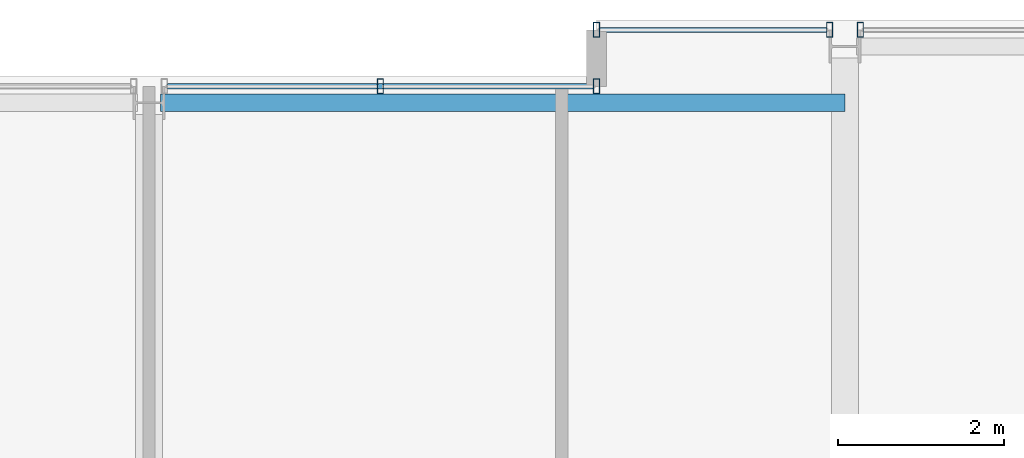
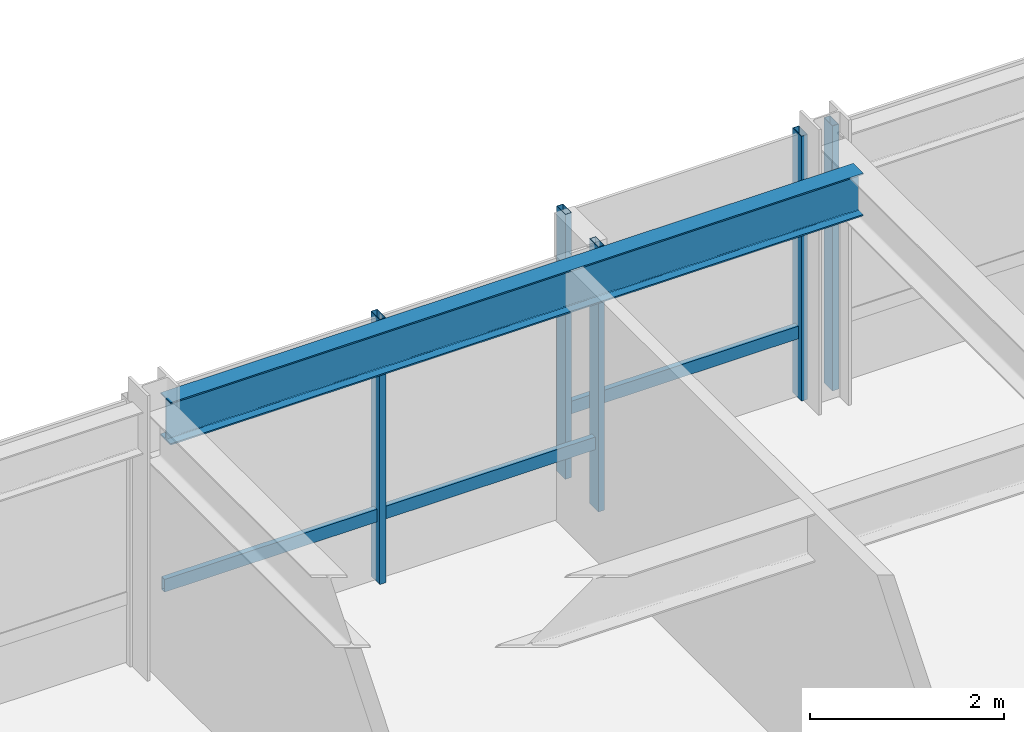
# One storey, part 22 of 34: 7 members, 1 beam, 3 elements without a shape of their own.
"""IFC4 building model written with IfcOpenShell, lengths in metres."""

from ifc_helpers import new_model, si_unit, direction, frame, origin, origin_2d, place, context, subcontext, project, spatial, hollow_rectangle, i_section, extrude, material, layer, layer_set, material_profile, profile_set, type_object, element, aggregate, save


model = new_model("IFC4")

# Units and contexts
model_context = context("Model", 3, precision=1e-05, world=origin(), true_north=direction((0.0, 1.0)))
body_context = subcontext(model_context, "Body", "Model", "MODEL_VIEW")
ifc_project = project(units=[si_unit("LENGTHUNIT", "METRE"), si_unit("AREAUNIT", "SQUARE_METRE"), si_unit("VOLUMEUNIT", "CUBIC_METRE"), si_unit("PLANEANGLEUNIT", "RADIAN"), si_unit("MASSUNIT", "GRAM", prefix="KILO")], contexts=[model_context])

# Site, building, storey
site_placement = place(None, origin())
site = spatial("IfcSite", under=ifc_project, at=site_placement, CompositionType="ELEMENT")
building_placement = place(site_placement, origin())
building = spatial("IfcBuilding", under=site, at=building_placement, Name="Drelvath Grand Hotel", CompositionType="ELEMENT")
storey_placement = place(building_placement, frame((0.0, 0.0, 208.699951171875)))
storey = spatial("IfcBuildingStorey", under=building, at=storey_placement, Name="L54", CompositionType="ELEMENT", Elevation=208.699951171875)

# Curtain wall, member
ifc_material_1 = material(Name="Platinum-Mist Anodised Aluminium Frame", Category="aluminium")
ifc_layer = layer(ifc_material_1, 0.199951171875)
ifc_layer_set = layer_set([ifc_layer], Name="Platinum-Mist Anodised Aluminium Frame")
curtain_wall_type = type_object("IfcCurtainWallType", Name="Stick Curtain Wall CW-05 Platinum Mist High-Rise", PredefinedType="NOTDEFINED", material=ifc_layer_set)
curtain_wall_1_placement = place(storey_placement, origin())
curtain_wall_1 = element("IfcCurtainWall", 1, at=curtain_wall_1_placement, inside=storey, type_object=curtain_wall_type, Name="L54 CW-05 Curtain Wall CW05-L54-NM2", PredefinedType="NOTDEFINED")
ifc_material_profile_1 = material_profile(ifc_material_1, hollow_rectangle(XDim=0.06494140625, YDim=0.159912109375, WallThickness=0.00390625, at=origin_2d()), Name="HSS160X65X4")
ifc_profile_set_1 = profile_set([ifc_material_profile_1], Name="Platinum-Mist Anodised Aluminium Frame")
member_type_1 = type_object("IfcMemberType", Name="Curtain Wall Horizontal Transom CW-05 HSS160X65X4", PredefinedType="USERDEFINED", material=ifc_profile_set_1)
member_1_placement = place(storey_placement, frame((0.225341796875, 48.39990234375, 0.8349609375), z_axis=(1.0, 0.0, 0.0), x_axis=(0.0, 1.0, 0.0)))
member_1 = element("IfcMember", 2, at=member_1_placement, type_object=member_type_1, Name="CW05-L54-NM2 Sill Transom", ObjectType="TRANSOM", PredefinedType="USERDEFINED", context=body_context, shape_type="SweptSolid", body=[
    extrude(hollow_rectangle(XDim=0.06494140625, YDim=0.159912109375, WallThickness=0.00390625, at=origin_2d()), origin(), (0.0, 0.0, 1.0), 5.134765625),
])

curtain_wall_2_placement = place(storey_placement, origin())
curtain_wall_2 = element("IfcCurtainWall", 3, at=curtain_wall_2_placement, inside=storey, type_object=curtain_wall_type, Name="L54 CW-05 Curtain Wall CW05-L54-NE1", PredefinedType="NOTDEFINED")
member_2_placement = place(storey_placement, frame((5.43994140625, 49.080078125, 0.8349609375), z_axis=(1.0, 0.0, 0.0), x_axis=(0.0, 1.0, 0.0)))
member_2 = element("IfcMember", 4, at=member_2_placement, type_object=member_type_1, Name="CW05-L54-NE1 Sill Transom", ObjectType="TRANSOM", PredefinedType="USERDEFINED", context=body_context, shape_type="SweptSolid", body=[
    extrude(hollow_rectangle(XDim=0.06494140625, YDim=0.159912109375, WallThickness=0.00390625, at=origin_2d()), origin(), (0.0, 0.0, 1.0), 2.73486328125),
])

# Member
ifc_material_profile_2 = material_profile(ifc_material_1, hollow_rectangle(XDim=0.074951171875, YDim=0.179931640625, WallThickness=0.0048828125, at=origin_2d()), Name="HSS180X75X5")
ifc_profile_set_2 = profile_set([ifc_material_profile_2], Name="Platinum-Mist Anodised Aluminium Frame")
member_type_2 = type_object("IfcMemberType", Name="Curtain Wall Vertical Mullion CW-05 HSS180X75X5", PredefinedType="MULLION", material=ifc_profile_set_2)
member_3_placement = place(storey_placement, frame((2.792724609375, 48.39990234375, 0.0), z_axis=(0.0, 0.0, 1.0), x_axis=(1.0, 0.0, 0.0)))
member_3 = element("IfcMember", 5, at=member_3_placement, type_object=member_type_2, Name="CW05-L54-NM2 Mullion 2", PredefinedType="MULLION", context=body_context, shape_type="SweptSolid", body=[
    extrude(hollow_rectangle(XDim=0.074951171875, YDim=0.179931640625, WallThickness=0.0048828125, at=origin_2d()), origin(), (0.0, 0.0, 1.0), 3.340087890625),
])

member_4_placement = place(storey_placement, frame((5.39990234375, 48.39990234375, 0.0), z_axis=(0.0, 0.0, 1.0), x_axis=(1.0, 0.0, 0.0)))
member_4 = element("IfcMember", 6, at=member_4_placement, type_object=member_type_2, Name="CW05-L54-NM2 Mullion 3", PredefinedType="MULLION", context=body_context, shape_type="SweptSolid", body=[
    extrude(hollow_rectangle(XDim=0.074951171875, YDim=0.179931640625, WallThickness=0.0048828125, at=origin_2d()), origin(), (0.0, 0.0, 1.0), 3.340087890625),
])

aggregate(curtain_wall_1, [member_3, member_4, member_1])

member_5_placement = place(storey_placement, frame((5.39990234375, 49.080078125, 0.0), z_axis=(0.0, 0.0, 1.0), x_axis=(1.0, 0.0, 0.0)))
member_5 = element("IfcMember", 7, at=member_5_placement, type_object=member_type_2, Name="CW05-L54-NE1 Mullion 1", PredefinedType="MULLION", context=body_context, shape_type="SweptSolid", body=[
    extrude(hollow_rectangle(XDim=0.074951171875, YDim=0.179931640625, WallThickness=0.0048828125, at=origin_2d()), origin(), (0.0, 0.0, 1.0), 3.340087890625),
])

member_6_placement = place(storey_placement, frame((8.214599609375, 49.080078125, 0.0), z_axis=(0.0, 0.0, 1.0), x_axis=(1.0, 0.0, 0.0)))
member_6 = element("IfcMember", 8, at=member_6_placement, type_object=member_type_2, Name="CW05-L54-NE1 Mullion 2", PredefinedType="MULLION", context=body_context, shape_type="SweptSolid", body=[
    extrude(hollow_rectangle(XDim=0.074951171875, YDim=0.179931640625, WallThickness=0.0048828125, at=origin_2d()), origin(), (0.0, 0.0, 1.0), 3.340087890625),
])

aggregate(curtain_wall_2, [member_5, member_6, member_2])

# Curtain wall, member
curtain_wall_3_placement = place(storey_placement, origin())
curtain_wall_3 = element("IfcCurtainWall", 9, at=curtain_wall_3_placement, inside=storey, type_object=curtain_wall_type, Name="L54 CW-05 Curtain Wall CW05-L54-NE2", PredefinedType="NOTDEFINED")
member_7_placement = place(storey_placement, frame((8.585205078125, 49.080078125, 0.0), z_axis=(0.0, 0.0, 1.0), x_axis=(1.0, 0.0, 0.0)))
member_7 = element("IfcMember", 10, at=member_7_placement, type_object=member_type_2, Name="CW05-L54-NE2 Mullion 1", PredefinedType="MULLION", context=body_context, shape_type="SweptSolid", body=[
    extrude(hollow_rectangle(XDim=0.074951171875, YDim=0.179931640625, WallThickness=0.0048828125, at=origin_2d()), origin(), (0.0, 0.0, 1.0), 3.340087890625),
])
aggregate(curtain_wall_3, [member_7])

# Beam
ifc_material_2 = material(Name="Steel ASTM A992 Gr 50", Category="steel")
ifc_material_profile_3 = material_profile(ifc_material_2, i_section(OverallWidth=0.210205078125, OverallDepth=0.53662109375, WebThickness=0.010986328125, FlangeThickness=0.017333984375, FilletRadius=0.01806640625, at=origin_2d()), Name="W21X68")
ifc_profile_set_3 = profile_set([ifc_material_profile_3], Name="Steel ASTM A992 Gr 50")
beam_type = type_object("IfcBeamType", Name="Perimeter Spandrel Beam W21X68", PredefinedType="SPANDREL", material=ifc_profile_set_3)
beam_placement = place(storey_placement, frame((0.139892578125, 48.199951171875, 3.071533203125), z_axis=(1.0, 0.0, 0.0), x_axis=(0.0, 1.0, 0.0)))
element("IfcBeam", 11, at=beam_placement, inside=storey, type_object=beam_type, Name="L54 Spandrel North Mid E", PredefinedType="SPANDREL", context=body_context, shape_type="SweptSolid", body=[
    extrude(i_section(OverallWidth=0.210205078125, OverallDepth=0.53662109375, WebThickness=0.010986328125, FlangeThickness=0.017333984375, FilletRadius=0.01806640625, at=origin_2d()), origin(), (0.0, 0.0, 1.0), 8.260009765625),
])

save(model, "model.ifc")
